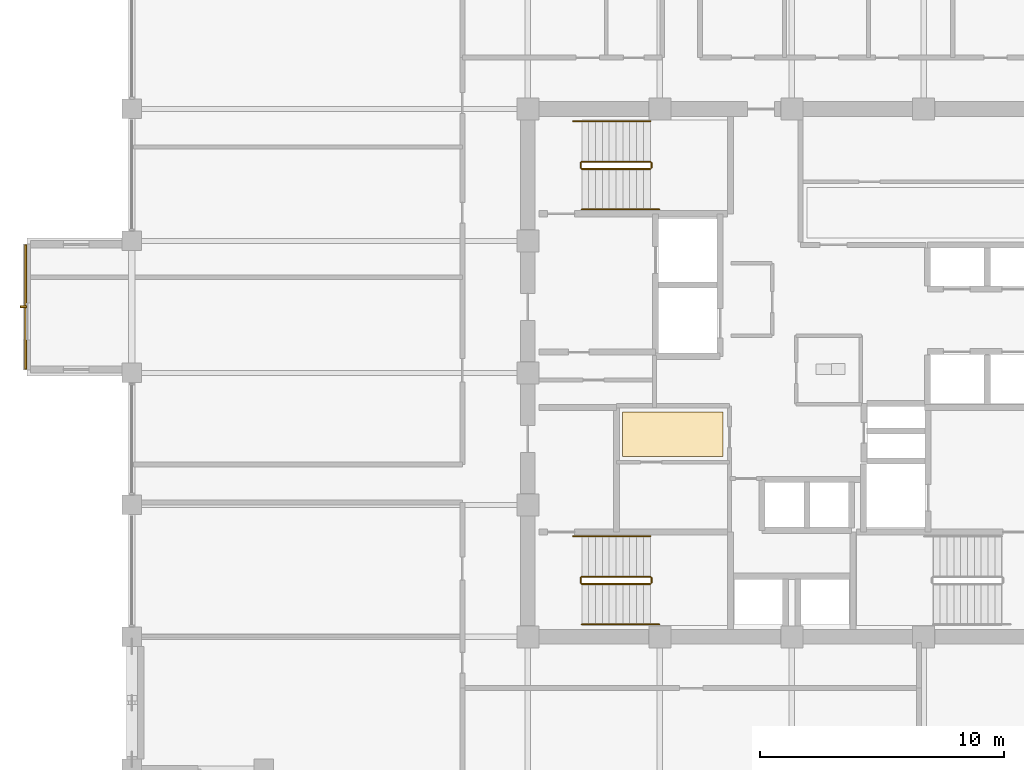
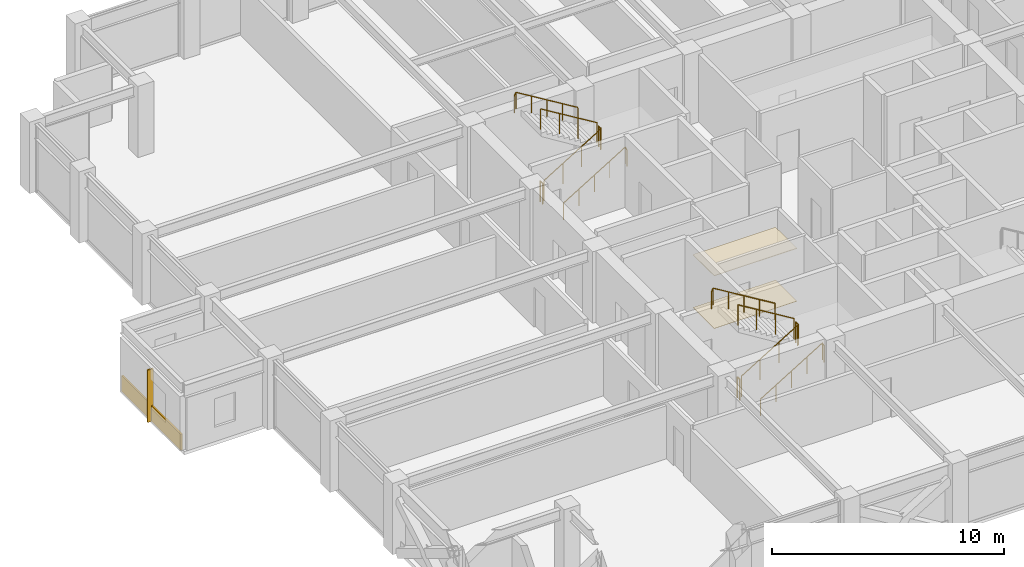
# One storey, part 26 of 28: 12 railings, 3 coverings, 1 shading device.
"""IFC4 building model written with IfcOpenShell, lengths in metres."""

from ifc_helpers import new_model, si_unit, direction, frame, origin, origin_2d, place, context, subcontext, project, spatial, polyline, rectangle, circle, outline, extrude, material, layer, layer_set, type_object, element, save


model = new_model("IFC4")

# Units and contexts
model_context = context("Model", 3, precision=1e-05, world=origin(), true_north=direction((0.0, 1.0)))
body_context = subcontext(model_context, "Body", "Model", "MODEL_VIEW")
ifc_project = project(units=[si_unit("LENGTHUNIT", "METRE"), si_unit("AREAUNIT", "SQUARE_METRE"), si_unit("VOLUMEUNIT", "CUBIC_METRE"), si_unit("PLANEANGLEUNIT", "RADIAN"), si_unit("MASSUNIT", "GRAM", prefix="KILO")], contexts=[model_context])

# Site, building, storey
site_placement = place(None, origin())
site = spatial("IfcSite", under=ifc_project, at=site_placement, CompositionType="ELEMENT")
building_placement = place(site_placement, origin())
building = spatial("IfcBuilding", under=site, at=building_placement, Name="Surkhivell Harbour Commons", CompositionType="ELEMENT")
storey_placement = place(building_placement, frame((0.0, 0.0, 242.25)))
storey = spatial("IfcBuildingStorey", under=building, at=storey_placement, Name="L63", CompositionType="ELEMENT", Elevation=242.25)

# Coverings
ifc_material_1 = material(Name="Moisture-resistant gypsum acoustic ceiling board", Category="other")
ifc_layer_1 = layer(ifc_material_1, 0.030029296875)
ifc_layer_set_1 = layer_set([ifc_layer_1], Name="Moisture-resistant gypsum acoustic ceiling board")
covering_type_1 = type_object("IfcCoveringType", Name="COV-CEIL-GYP", PredefinedType="CEILING", material=ifc_layer_set_1)
covering_1_placement = place(storey_placement, frame((0.0, 0.0, 2.77001953125)))
element("IfcCovering", 1, at=covering_1_placement, inside=storey, type_object=covering_type_1, Name="L63 Suspended Acoustic Ceiling 2", PredefinedType="CEILING", context=body_context, shape_type="SweptSolid", body=[
    extrude(outline(polyline([(-6.929931640625, -3.429931640625), (-2.820068359375, -3.429931640625), (-2.820068359375, -1.60009765625), (-6.929931640625, -1.60009765625), (-6.929931640625, -3.429931640625)])), origin(), (0.0, 0.0, 1.0), 0.030029296875),
])
ifc_material_2 = material(Name="Vermilion-coral enamelled aluminium cassette panel", Category="aluminium")
ifc_layer_2 = layer(ifc_material_2, 0.074951171875)
ifc_layer_set_2 = layer_set([ifc_layer_2], Name="Vermilion-coral enamelled aluminium cassette panel")
covering_type_2 = type_object("IfcCoveringType", Name="COV-CLAD-VER", PredefinedType="CLADDING", material=ifc_layer_set_2)
covering_2_placement = place(storey_placement, frame((-31.340087890625, 2.699951171875, 0.0), z_axis=(0.0, 0.0, 1.0), x_axis=(1.0, 0.0, 0.0)))
element("IfcCovering", 2, at=covering_2_placement, inside=storey, type_object=covering_type_2, Name="L63 Coloured-Panel Box Spandrel Cassette 02", PredefinedType="CLADDING", context=body_context, shape_type="SweptSolid", body=[
    extrude(rectangle(XDim=0.080078125, YDim=5.10009765625, at=origin_2d()), origin(), (0.0, 0.0, 1.0), 0.840087890625),
])
ifc_material_3 = material(Name="Engineered acoustic oak timber flooring", Category="wood")
ifc_layer_3 = layer(ifc_material_3, 0.02001953125)
ifc_layer_set_3 = layer_set([ifc_layer_3], Name="Engineered acoustic oak timber flooring")
covering_type_3 = type_object("IfcCoveringType", Name="COV-FLR-TIM", PredefinedType="FLOORING", material=ifc_layer_set_3)
covering_3_placement = place(storey_placement, origin())
element("IfcCovering", 3, at=covering_3_placement, inside=storey, type_object=covering_type_3, Name="L63 Interior Floor Finish 2", PredefinedType="FLOORING", context=body_context, shape_type="SweptSolid", body=[
    extrude(outline(polyline([(-6.929931640625, -3.429931640625), (-2.820068359375, -3.429931640625), (-2.820068359375, -1.60009765625), (-6.929931640625, -1.60009765625), (-6.929931640625, -3.429931640625)])), origin(), (0.0, 0.0, 1.0), 0.02001953125),
])

# Railings
ifc_material_4 = material(Name="Galvanised and painted steel S355 guard rail", Category="steel")
railing_type_1 = type_object("IfcRailingType", Name="RAL-ST-GRD1100", PredefinedType="GUARDRAIL", material=ifc_material_4)
railing_1_placement = place(storey_placement, frame((-8.590087890625, 8.340087890625, 0.17041015625)))
element("IfcRailing", 4, at=railing_1_placement, inside=storey, type_object=railing_type_1, Name="L63 ST1 stair guard 1", PredefinedType="GUARDRAIL", context=body_context, shape_type="SweptSolid", body=[
    extrude(circle(Radius=0.02392578125, at=origin_2d()), frame((0.0, 0.0, 1.076171875), z_axis=(0.854169791009, 0.0, 0.51999420009), x_axis=(0.0, 1.0, 0.0)), (0.0, 0.0, 1.0), 3.278076171875),
    extrude(circle(Radius=0.02099609375, at=origin_2d()), origin(), (0.0, 0.0, 1.0), 1.052001953125),
    extrude(circle(Radius=0.02099609375, at=origin_2d()), frame((0.933349609375, 0.0, 0.568115234375)), (0.0, 0.0, 1.0), 1.052001953125),
    extrude(circle(Radius=0.02099609375, at=origin_2d()), frame((1.86669921875, 0.0, 1.136474609375)), (0.0, 0.0, 1.0), 1.052001953125),
    extrude(circle(Radius=0.02099609375, at=origin_2d()), frame((2.800048828125, 0.0, 1.70458984375)), (0.0, 0.0, 1.0), 1.052001953125),
])
railing_2_placement = place(storey_placement, frame((-5.739990234375, 8.389892578125, 1.875)))
element("IfcRailing", 5, at=railing_2_placement, inside=storey, type_object=railing_type_1, Name="L63 ST1 stair guard 2", PredefinedType="GUARDRAIL", context=body_context, shape_type="SweptSolid", body=[
    extrude(circle(Radius=0.02392578125, at=origin_2d()), frame((0.0, 0.0, 1.076171875), z_axis=(0.0, 1.0, 0.0), x_axis=(-1.0, 0.0, 0.0)), (0.0, 0.0, 1.0), 0.2001953125),
    extrude(circle(Radius=0.02099609375, at=origin_2d()), origin(), (0.0, 0.0, 1.0), 1.052001953125),
    extrude(circle(Radius=0.02099609375, at=origin_2d()), frame((0.0, 0.2001953125, 0.0)), (0.0, 0.0, 1.0), 1.052001953125),
])
railing_3_placement = place(storey_placement, frame((-5.7900390625, 8.639892578125, 2.04541015625)))
element("IfcRailing", 6, at=railing_3_placement, inside=storey, type_object=railing_type_1, Name="L63 ST1 stair guard 3", PredefinedType="GUARDRAIL", context=body_context, shape_type="SweptSolid", body=[
    extrude(circle(Radius=0.02392578125, at=origin_2d()), frame((0.0, 0.0, 1.076171875), z_axis=(-0.854169791009, 0.0, 0.51999420009), x_axis=(0.0, -1.0, 0.0)), (0.0, 0.0, 1.0), 3.278076171875),
    extrude(circle(Radius=0.02099609375, at=origin_2d()), origin(), (0.0, 0.0, 1.0), 1.052001953125),
    extrude(circle(Radius=0.02099609375, at=origin_2d()), frame((-0.933349609375, 0.0, 0.568115234375)), (0.0, 0.0, 1.0), 1.052001953125),
    extrude(circle(Radius=0.02099609375, at=origin_2d()), frame((-1.86669921875, 0.0, 1.136474609375)), (0.0, 0.0, 1.0), 1.052001953125),
    extrude(circle(Radius=0.02099609375, at=origin_2d()), frame((-2.800048828125, 0.0, 1.70458984375)), (0.0, 0.0, 1.0), 1.052001953125),
])
railing_4_placement = place(storey_placement, frame((-8.639892578125, 8.389892578125, 0.0)))
element("IfcRailing", 7, at=railing_4_placement, inside=storey, type_object=railing_type_1, Name="L63 ST1 stair guard 4", PredefinedType="GUARDRAIL", context=body_context, shape_type="SweptSolid", body=[
    extrude(circle(Radius=0.02392578125, at=origin_2d()), frame((0.0, 0.0, 1.076171875), z_axis=(0.0, 1.0, 0.0), x_axis=(-1.0, 0.0, 0.0)), (0.0, 0.0, 1.0), 0.2001953125),
    extrude(circle(Radius=0.02099609375, at=origin_2d()), origin(), (0.0, 0.0, 1.0), 1.052001953125),
    extrude(circle(Radius=0.02099609375, at=origin_2d()), frame((0.0, 0.2001953125, 0.0)), (0.0, 0.0, 1.0), 1.052001953125),
])
railing_5_placement = place(storey_placement, frame((-8.590087890625, -8.639892578125, 0.17041015625)))
element("IfcRailing", 8, at=railing_5_placement, inside=storey, type_object=railing_type_1, Name="L63 ST3 stair guard 1", PredefinedType="GUARDRAIL", context=body_context, shape_type="SweptSolid", body=[
    extrude(circle(Radius=0.02392578125, at=origin_2d()), frame((0.0, 0.0, 1.076171875), z_axis=(0.854169791009, 0.0, 0.51999420009), x_axis=(0.0, 1.0, 0.0)), (0.0, 0.0, 1.0), 3.278076171875),
    extrude(circle(Radius=0.02099609375, at=origin_2d()), origin(), (0.0, 0.0, 1.0), 1.052001953125),
    extrude(circle(Radius=0.02099609375, at=origin_2d()), frame((0.933349609375, 0.0, 0.568115234375)), (0.0, 0.0, 1.0), 1.052001953125),
    extrude(circle(Radius=0.02099609375, at=origin_2d()), frame((1.86669921875, 0.0, 1.136474609375)), (0.0, 0.0, 1.0), 1.052001953125),
    extrude(circle(Radius=0.02099609375, at=origin_2d()), frame((2.800048828125, 0.0, 1.70458984375)), (0.0, 0.0, 1.0), 1.052001953125),
])
railing_6_placement = place(storey_placement, frame((-5.739990234375, -8.590087890625, 1.875)))
element("IfcRailing", 9, at=railing_6_placement, inside=storey, type_object=railing_type_1, Name="L63 ST3 stair guard 2", PredefinedType="GUARDRAIL", context=body_context, shape_type="SweptSolid", body=[
    extrude(circle(Radius=0.02392578125, at=origin_2d()), frame((0.0, 0.0, 1.076171875), z_axis=(0.0, 1.0, 0.0), x_axis=(-1.0, 0.0, 0.0)), (0.0, 0.0, 1.0), 0.2001953125),
    extrude(circle(Radius=0.02099609375, at=origin_2d()), origin(), (0.0, 0.0, 1.0), 1.052001953125),
    extrude(circle(Radius=0.02099609375, at=origin_2d()), frame((0.0, 0.2001953125, 0.0)), (0.0, 0.0, 1.0), 1.052001953125),
])
railing_7_placement = place(storey_placement, frame((-5.7900390625, -8.340087890625, 2.04541015625)))
element("IfcRailing", 10, at=railing_7_placement, inside=storey, type_object=railing_type_1, Name="L63 ST3 stair guard 3", PredefinedType="GUARDRAIL", context=body_context, shape_type="SweptSolid", body=[
    extrude(circle(Radius=0.02392578125, at=origin_2d()), frame((0.0, 0.0, 1.076171875), z_axis=(-0.854169791009, 0.0, 0.51999420009), x_axis=(0.0, -1.0, 0.0)), (0.0, 0.0, 1.0), 3.278076171875),
    extrude(circle(Radius=0.02099609375, at=origin_2d()), origin(), (0.0, 0.0, 1.0), 1.052001953125),
    extrude(circle(Radius=0.02099609375, at=origin_2d()), frame((-0.933349609375, 0.0, 0.568115234375)), (0.0, 0.0, 1.0), 1.052001953125),
    extrude(circle(Radius=0.02099609375, at=origin_2d()), frame((-1.86669921875, 0.0, 1.136474609375)), (0.0, 0.0, 1.0), 1.052001953125),
    extrude(circle(Radius=0.02099609375, at=origin_2d()), frame((-2.800048828125, 0.0, 1.70458984375)), (0.0, 0.0, 1.0), 1.052001953125),
])
railing_8_placement = place(storey_placement, frame((-8.639892578125, -8.590087890625, 0.0)))
element("IfcRailing", 11, at=railing_8_placement, inside=storey, type_object=railing_type_1, Name="L63 ST3 stair guard 4", PredefinedType="GUARDRAIL", context=body_context, shape_type="SweptSolid", body=[
    extrude(circle(Radius=0.02392578125, at=origin_2d()), frame((0.0, 0.0, 1.076171875), z_axis=(0.0, 1.0, 0.0), x_axis=(-1.0, 0.0, 0.0)), (0.0, 0.0, 1.0), 0.2001953125),
    extrude(circle(Radius=0.02099609375, at=origin_2d()), origin(), (0.0, 0.0, 1.0), 1.052001953125),
    extrude(circle(Radius=0.02099609375, at=origin_2d()), frame((0.0, 0.2001953125, 0.0)), (0.0, 0.0, 1.0), 1.052001953125),
])
ifc_material_5 = material(Name="Brushed stainless steel S355 handrail", Category="steel")
railing_type_2 = type_object("IfcRailingType", Name="RAL-ST-HND900", PredefinedType="HANDRAIL", material=ifc_material_5)
railing_9_placement = place(storey_placement, frame((-8.590087890625, 6.68994140625, 0.17041015625)))
element("IfcRailing", 12, at=railing_9_placement, inside=storey, type_object=railing_type_2, Name="L63 ST1 stair handrail 1", PredefinedType="HANDRAIL", context=body_context, shape_type="SweptSolid", body=[
    extrude(circle(Radius=0.02392578125, at=origin_2d()), frame((0.0, 0.0, 0.8759765625), z_axis=(0.854177636135, 0.0, 0.519981313056), x_axis=(0.0, 1.0, 0.0)), (0.0, 0.0, 1.0), 3.60595703125),
    extrude(circle(Radius=0.02392578125, at=origin_2d()), frame((3.080078125, 0.0, 2.7509765625), z_axis=(0.425297416671, 0.0, -0.905053648892), x_axis=(0.0, 1.0, 0.0)), (0.0, 0.0, 1.0), 0.188232421875),
    extrude(circle(Radius=0.02099609375, at=origin_2d()), origin(), (0.0, 0.0, 1.0), 0.851806640625),
    extrude(circle(Radius=0.02099609375, at=origin_2d()), frame((0.77001953125, 0.0, 0.46875)), (0.0, 0.0, 1.0), 0.851806640625),
    extrude(circle(Radius=0.02099609375, at=origin_2d()), frame((1.5400390625, 0.0, 0.9375)), (0.0, 0.0, 1.0), 0.851806640625),
    extrude(circle(Radius=0.02099609375, at=origin_2d()), frame((2.31005859375, 0.0, 1.40625)), (0.0, 0.0, 1.0), 0.851806640625),
    extrude(circle(Radius=0.02099609375, at=origin_2d()), frame((3.080078125, 0.0, 1.875)), (0.0, 0.0, 1.0), 0.851806640625),
    extrude(circle(Radius=0.02099609375, at=origin_2d()), frame((3.16015625, 0.0, 1.70458984375)), (0.0, 0.0, 1.0), 0.851806640625),
])
railing_10_placement = place(storey_placement, frame((-5.7900390625, 10.2900390625, 2.04541015625)))
element("IfcRailing", 13, at=railing_10_placement, inside=storey, type_object=railing_type_2, Name="L63 ST1 stair handrail 2", PredefinedType="HANDRAIL", context=body_context, shape_type="SweptSolid", body=[
    extrude(circle(Radius=0.02392578125, at=origin_2d()), frame((0.0, 0.0, 0.8759765625), z_axis=(-0.854177636135, 0.0, 0.519981313056), x_axis=(0.0, -1.0, 0.0)), (0.0, 0.0, 1.0), 3.60595703125),
    extrude(circle(Radius=0.02392578125, at=origin_2d()), frame((-3.080078125, 0.0, 2.7509765625), z_axis=(-0.424234432967, 0.0, -0.905552398199), x_axis=(0.0, -1.0, 0.0)), (0.0, 0.0, 1.0), 0.188232421875),
    extrude(circle(Radius=0.02099609375, at=origin_2d()), origin(), (0.0, 0.0, 1.0), 0.851806640625),
    extrude(circle(Radius=0.02099609375, at=origin_2d()), frame((-0.77001953125, 0.0, 0.46875)), (0.0, 0.0, 1.0), 0.851806640625),
    extrude(circle(Radius=0.02099609375, at=origin_2d()), frame((-1.5400390625, 0.0, 0.9375)), (0.0, 0.0, 1.0), 0.851806640625),
    extrude(circle(Radius=0.02099609375, at=origin_2d()), frame((-2.31005859375, 0.0, 1.40625)), (0.0, 0.0, 1.0), 0.851806640625),
    extrude(circle(Radius=0.02099609375, at=origin_2d()), frame((-3.080078125, 0.0, 1.875)), (0.0, 0.0, 1.0), 0.851806640625),
    extrude(circle(Radius=0.02099609375, at=origin_2d()), frame((-3.159912109375, 0.0, 1.70458984375)), (0.0, 0.0, 1.0), 0.851806640625),
])
railing_11_placement = place(storey_placement, frame((-8.590087890625, -10.2900390625, 0.17041015625)))
element("IfcRailing", 14, at=railing_11_placement, inside=storey, type_object=railing_type_2, Name="L63 ST3 stair handrail 1", PredefinedType="HANDRAIL", context=body_context, shape_type="SweptSolid", body=[
    extrude(circle(Radius=0.02392578125, at=origin_2d()), frame((0.0, 0.0, 0.8759765625), z_axis=(0.854177636135, 0.0, 0.519981313056), x_axis=(0.0, 1.0, 0.0)), (0.0, 0.0, 1.0), 3.60595703125),
    extrude(circle(Radius=0.02392578125, at=origin_2d()), frame((3.080078125, 0.0, 2.7509765625), z_axis=(0.425297416671, 0.0, -0.905053648892), x_axis=(0.0, 1.0, 0.0)), (0.0, 0.0, 1.0), 0.188232421875),
    extrude(circle(Radius=0.02099609375, at=origin_2d()), origin(), (0.0, 0.0, 1.0), 0.851806640625),
    extrude(circle(Radius=0.02099609375, at=origin_2d()), frame((0.77001953125, 0.0, 0.46875)), (0.0, 0.0, 1.0), 0.851806640625),
    extrude(circle(Radius=0.02099609375, at=origin_2d()), frame((1.5400390625, 0.0, 0.9375)), (0.0, 0.0, 1.0), 0.851806640625),
    extrude(circle(Radius=0.02099609375, at=origin_2d()), frame((2.31005859375, 0.0, 1.40625)), (0.0, 0.0, 1.0), 0.851806640625),
    extrude(circle(Radius=0.02099609375, at=origin_2d()), frame((3.080078125, 0.0, 1.875)), (0.0, 0.0, 1.0), 0.851806640625),
    extrude(circle(Radius=0.02099609375, at=origin_2d()), frame((3.16015625, 0.0, 1.70458984375)), (0.0, 0.0, 1.0), 0.851806640625),
])
railing_12_placement = place(storey_placement, frame((-5.7900390625, -6.68994140625, 2.04541015625)))
element("IfcRailing", 15, at=railing_12_placement, inside=storey, type_object=railing_type_2, Name="L63 ST3 stair handrail 2", PredefinedType="HANDRAIL", context=body_context, shape_type="SweptSolid", body=[
    extrude(circle(Radius=0.02392578125, at=origin_2d()), frame((0.0, 0.0, 0.8759765625), z_axis=(-0.854177636135, 0.0, 0.519981313056), x_axis=(0.0, -1.0, 0.0)), (0.0, 0.0, 1.0), 3.60595703125),
    extrude(circle(Radius=0.02392578125, at=origin_2d()), frame((-3.080078125, 0.0, 2.7509765625), z_axis=(-0.424234432967, 0.0, -0.905552398199), x_axis=(0.0, -1.0, 0.0)), (0.0, 0.0, 1.0), 0.188232421875),
    extrude(circle(Radius=0.02099609375, at=origin_2d()), origin(), (0.0, 0.0, 1.0), 0.851806640625),
    extrude(circle(Radius=0.02099609375, at=origin_2d()), frame((-0.77001953125, 0.0, 0.46875)), (0.0, 0.0, 1.0), 0.851806640625),
    extrude(circle(Radius=0.02099609375, at=origin_2d()), frame((-1.5400390625, 0.0, 0.9375)), (0.0, 0.0, 1.0), 0.851806640625),
    extrude(circle(Radius=0.02099609375, at=origin_2d()), frame((-2.31005859375, 0.0, 1.40625)), (0.0, 0.0, 1.0), 0.851806640625),
    extrude(circle(Radius=0.02099609375, at=origin_2d()), frame((-3.080078125, 0.0, 1.875)), (0.0, 0.0, 1.0), 0.851806640625),
    extrude(circle(Radius=0.02099609375, at=origin_2d()), frame((-3.159912109375, 0.0, 1.70458984375)), (0.0, 0.0, 1.0), 0.851806640625),
])

# Shading device
ifc_material_6 = material(Name="Champagne anodised aluminium solar fin", Category="aluminium")
shading_device_type = type_object("IfcShadingDeviceType", Name="SHD-FIN-SLIM", PredefinedType="USERDEFINED", material=ifc_material_6)
shading_device_placement = place(storey_placement, frame((-31.43994140625, 2.699951171875, 0.0048828125), z_axis=(0.0, 0.0, 1.0), x_axis=(1.0, 0.0, 0.0)))
element("IfcShadingDevice", 16, at=shading_device_placement, inside=storey, type_object=shading_device_type, Name="L63 Coloured-Box Solar Fin 02", ObjectType="FIN", PredefinedType="USERDEFINED", context=body_context, shape_type="SweptSolid", body=[
    extrude(rectangle(XDim=0.280029296875, YDim=0.080078125, at=origin_2d()), origin(), (0.0, 0.0, 1.0), 2.75),
])

save(model, "model.ifc")
